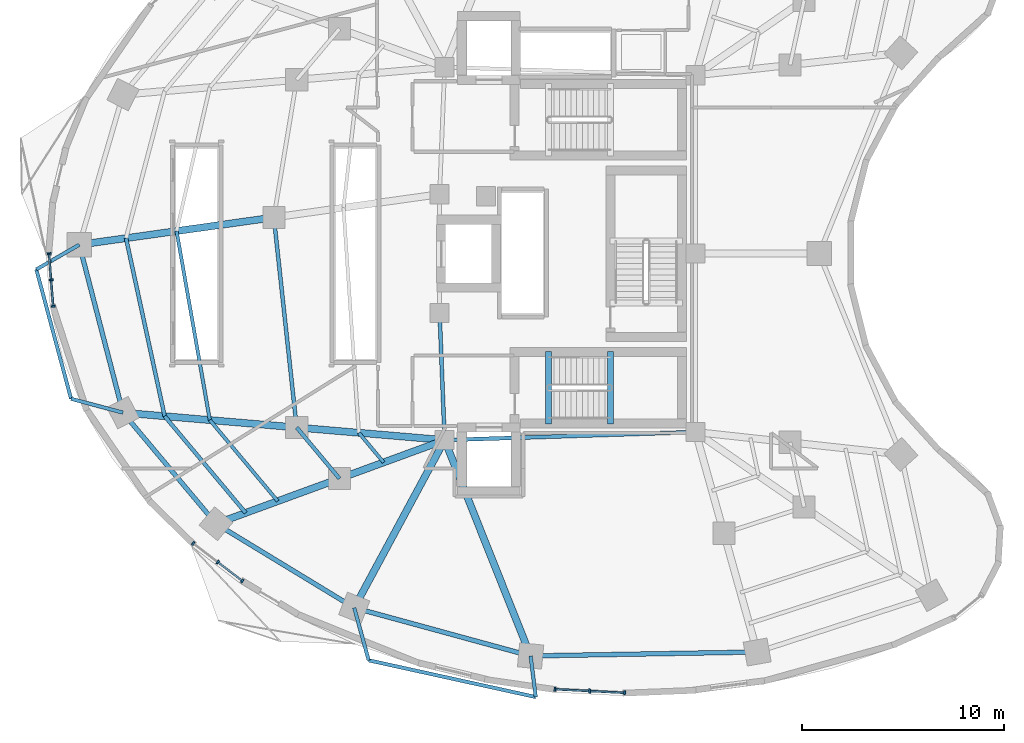
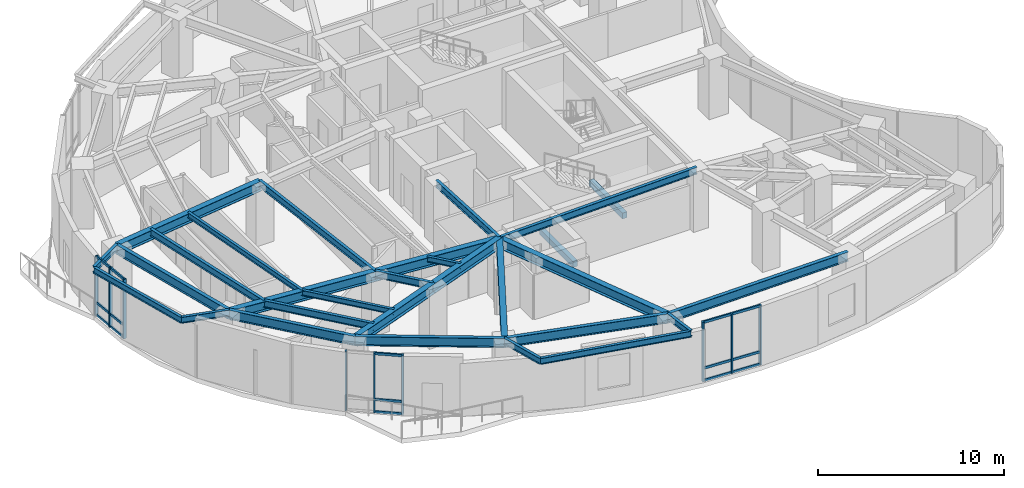
# One storey, part 2 of 12: 29 beams, 24 members, 3 elements without a shape of their own.
"""IFC4 building model written with IfcOpenShell, lengths in metres."""

from ifc_helpers import new_model, si_unit, direction, frame, origin, origin_2d, place, context, subcontext, project, spatial, rectangle, i_section, extrude, material, layer, layer_set, material_profile, profile_set, type_object, element, aggregate, save


model = new_model("IFC4")

# Units and contexts
model_context = context("Model", 3, precision=1e-05, world=origin(), true_north=direction((0.0, 1.0)))
body_context = subcontext(model_context, "Body", "Model", "MODEL_VIEW")
ifc_project = project(units=[si_unit("LENGTHUNIT", "METRE"), si_unit("AREAUNIT", "SQUARE_METRE"), si_unit("VOLUMEUNIT", "CUBIC_METRE"), si_unit("PLANEANGLEUNIT", "RADIAN"), si_unit("MASSUNIT", "GRAM", prefix="KILO")], contexts=[model_context])

# Site, building, storey
site_placement = place(None, origin())
site = spatial("IfcSite", under=ifc_project, at=site_placement, CompositionType="ELEMENT")
building_placement = place(site_placement, origin())
building = spatial("IfcBuilding", under=site, at=building_placement, Name="Korentha Bioscience Tower", CompositionType="ELEMENT")
storey_placement = place(building_placement, frame((0.0, 0.0, 136.199951171875)))
storey = spatial("IfcBuildingStorey", under=building, at=storey_placement, Name="L31", CompositionType="ELEMENT", Elevation=136.199951171875)

# Beams
ifc_material_1 = material(Name="Concrete C50", Category="concrete")
ifc_material_profile_1 = material_profile(ifc_material_1, rectangle(XDim=0.280029296875, YDim=0.3798828125, at=origin_2d()), Name="Concrete C50")
ifc_profile_set_1 = profile_set([ifc_material_profile_1], Name="Concrete C50 (ST-HB380)")
beam_type_1 = type_object("IfcBeamType", Name="Concrete Stair Header Beam RC 280x380", PredefinedType="BEAM", material=ifc_profile_set_1)
for number, where, z_axis, x_axis, name in (
    (1, (30.25, 18.550048828125, -0.18994140625), (0.0, 1.0, 0.0), (-1.0, 0.0, 0.0), "L31 ST-2 Concrete Stair Header Beam"),
    (2, (33.330078125, 18.550048828125, 1.91015625), (0.0, 1.0, 0.0), (-1.0, 0.0, 0.0), "L31 ST-2 Half-Landing Header Beam 1"),
):
    element("IfcBeam", number, at=place(storey_placement, frame(where, z_axis=z_axis, x_axis=x_axis)), inside=storey, type_object=beam_type_1, Name=name, PredefinedType="BEAM", context=body_context, shape_type="SweptSolid", body=[
        extrude(rectangle(XDim=0.280029296875, YDim=0.3798828125, at=origin_2d()), origin(), (0.0, 0.0, 1.0), 3.599853515625),
    ])
ifc_material_2 = material(Name="Steel S355", Category="steel")
ifc_material_profile_2 = material_profile(ifc_material_2, i_section(OverallWidth=0.18994140625, OverallDepth=0.45703125, WebThickness=0.009033203125, FlangeThickness=0.014404296875, at=origin_2d()), Name="Steel S355")
ifc_profile_set_2 = profile_set([ifc_material_profile_2], Name="Steel S355 (MB-460)")
beam_type_2 = type_object("IfcBeamType", Name="Mid-Ring Tie Girder W460x74", PredefinedType="BEAM", material=ifc_profile_set_2)
beam_1_placement = place(storey_placement, frame((16.627197265625, 28.796630859375, 3.671630859375), z_axis=(0.108002632645, -0.994150607977, 0.0), x_axis=(0.994150607977, 0.108002632645, 0.0)))
element("IfcBeam", 3, at=beam_1_placement, inside=storey, type_object=beam_type_2, Name="L31 Mid-Ring Tie Girder 07", PredefinedType="BEAM", context=body_context, shape_type="SweptSolid", body=[
    extrude(i_section(OverallWidth=0.18994140625, OverallDepth=0.45703125, WebThickness=0.009033203125, FlangeThickness=0.014404296875, at=origin_2d()), origin(), (0.0, 0.0, 1.0), 10.48193359375),
])
beam_2_placement = place(storey_placement, frame((17.75927734375, 18.3759765625, 3.671630859375), z_axis=(0.642121371708, -0.766602989817, 0.0), x_axis=(0.766602989817, 0.642121371708, 0.0)))
element("IfcBeam", 4, at=beam_2_placement, inside=storey, type_object=beam_type_2, Name="L31 Mid-Ring Tie Girder 08", PredefinedType="BEAM", context=body_context, shape_type="SweptSolid", body=[
    extrude(i_section(OverallWidth=0.18994140625, OverallDepth=0.45703125, WebThickness=0.009033203125, FlangeThickness=0.014404296875, at=origin_2d()), origin(), (0.0, 0.0, 1.0), 3.306640625),
])
beam_3_placement = place(storey_placement, frame((24.85009765625, 24.050048828125, 3.671630859375), z_axis=(0.039651025576, -0.999213588864, 0.0), x_axis=(0.999213588864, 0.039651025576, 0.0)))
element("IfcBeam", 5, at=beam_3_placement, inside=storey, type_object=beam_type_2, Name="L31 Core Ring Tie Girder 04", PredefinedType="BEAM", context=body_context, shape_type="SweptSolid", body=[
    extrude(i_section(OverallWidth=0.18994140625, OverallDepth=0.45703125, WebThickness=0.009033203125, FlangeThickness=0.014404296875, at=origin_2d()), origin(), (0.0, 0.0, 1.0), 6.304931640625),
])
beam_4_placement = place(storey_placement, frame((25.10009765625, 17.75, 3.671630859375), z_axis=(0.999484526071, 0.032104238723, 0.0), x_axis=(-0.032104238723, 0.999484526071, 0.0)))
element("IfcBeam", 6, at=beam_4_placement, inside=storey, type_object=beam_type_2, Name="L31 Core Ring Tie Girder 05", PredefinedType="BEAM", context=body_context, shape_type="SweptSolid", body=[
    extrude(i_section(OverallWidth=0.18994140625, OverallDepth=0.45703125, WebThickness=0.009033203125, FlangeThickness=0.014404296875, at=origin_2d()), origin(), (0.0, 0.0, 1.0), 12.456298828125),
])

# Curtain wall, members
ifc_material_3 = material(Name="Thermally Broken Aluminium Frame", Category="aluminium")
ifc_layer = layer(ifc_material_3, 0.219970703125, Name="Thermally Broken Aluminium Frame")
ifc_layer_set = layer_set([ifc_layer], Name="Thermally Broken Aluminium Frame (CW-T1)")
curtain_wall_type = type_object("IfcCurtainWallType", Name="Standard Bioscience Lab Unitised Curtain Wall CW-T1", PredefinedType="USERDEFINED", material=ifc_layer_set)
curtain_wall_1_placement = place(storey_placement, origin())
curtain_wall_1 = element("IfcCurtainWall", 7, at=curtain_wall_1_placement, inside=storey, type_object=curtain_wall_type, Name="L31 Curtain Wall 19", ObjectType="UNITISED", PredefinedType="USERDEFINED")
ifc_material_4 = material(Name="Anodised Aluminium 6063-T6", Category="aluminium")
ifc_material_profile_3 = material_profile(ifc_material_4, rectangle(XDim=0.090087890625, YDim=0.199951171875, at=origin_2d()), Name="Anodised Aluminium 6063-T6")
ifc_profile_set_3 = profile_set([ifc_material_profile_3], Name="Anodised Aluminium 6063-T6 (CW-MUL)")
member_type_1 = type_object("IfcMemberType", Name="Mullion RECT 90x200", PredefinedType="MULLION", material=ifc_profile_set_3)
member_1_placement = place(storey_placement, frame((5.473876953125, 27.0078125, 0.0), z_axis=(0.0, 0.0, 1.0), x_axis=(0.079130214674, -0.996864288219, 0.0)))
member_1 = element("IfcMember", 8, at=member_1_placement, type_object=member_type_1, Name="CW-L31-19 Mullion 1", PredefinedType="MULLION", context=body_context, shape_type="SweptSolid", body=[
    extrude(rectangle(XDim=0.090087890625, YDim=0.199951171875, at=origin_2d()), origin(), (0.0, 0.0, 1.0), 3.900146484375),
])
member_2_placement = place(storey_placement, frame((5.577880859375, 25.6962890625, 0.0), z_axis=(0.0, 0.0, 1.0), x_axis=(0.079130214674, -0.996864288219, 0.0)))
member_2 = element("IfcMember", 9, at=member_2_placement, type_object=member_type_1, Name="CW-L31-19 Mullion 2", PredefinedType="MULLION", context=body_context, shape_type="SweptSolid", body=[
    extrude(rectangle(XDim=0.090087890625, YDim=0.199951171875, at=origin_2d()), origin(), (0.0, 0.0, 1.0), 3.900146484375),
])
member_3_placement = place(storey_placement, frame((5.681884765625, 24.38525390625, 0.0), z_axis=(0.0, 0.0, 1.0), x_axis=(0.079130214674, -0.996864288219, 0.0)))
member_3 = element("IfcMember", 10, at=member_3_placement, type_object=member_type_1, Name="CW-L31-19 Mullion 3", PredefinedType="MULLION", context=body_context, shape_type="SweptSolid", body=[
    extrude(rectangle(XDim=0.090087890625, YDim=0.199951171875, at=origin_2d()), origin(), (0.0, 0.0, 1.0), 3.900146484375),
])

curtain_wall_2_placement = place(storey_placement, origin())
curtain_wall_2 = element("IfcCurtainWall", 11, at=curtain_wall_2_placement, inside=storey, type_object=curtain_wall_type, Name="L31 Curtain Wall 25", ObjectType="UNITISED", PredefinedType="USERDEFINED")
member_4_placement = place(storey_placement, frame((12.624267578125, 12.62890625, 0.0), z_axis=(0.0, 0.0, 1.0), x_axis=(0.794499603893, -0.607264669986, 0.0)))
member_4 = element("IfcMember", 12, at=member_4_placement, type_object=member_type_1, Name="CW-L31-25 Mullion 1", PredefinedType="MULLION", context=body_context, shape_type="SweptSolid", body=[
    extrude(rectangle(XDim=0.090087890625, YDim=0.199951171875, at=origin_2d()), origin(), (0.0, 0.0, 1.0), 3.900146484375),
])
member_5_placement = place(storey_placement, frame((13.844970703125, 11.69580078125, 0.0), z_axis=(0.0, 0.0, 1.0), x_axis=(0.794499603893, -0.607264669986, 0.0)))
member_5 = element("IfcMember", 13, at=member_5_placement, type_object=member_type_1, Name="CW-L31-25 Mullion 2", PredefinedType="MULLION", context=body_context, shape_type="SweptSolid", body=[
    extrude(rectangle(XDim=0.090087890625, YDim=0.199951171875, at=origin_2d()), origin(), (0.0, 0.0, 1.0), 3.900146484375),
])
member_6_placement = place(storey_placement, frame((15.0654296875, 10.7626953125, 0.0), z_axis=(0.0, 0.0, 1.0), x_axis=(0.794499603893, -0.607264669986, 0.0)))
member_6 = element("IfcMember", 14, at=member_6_placement, type_object=member_type_1, Name="CW-L31-25 Mullion 3", PredefinedType="MULLION", context=body_context, shape_type="SweptSolid", body=[
    extrude(rectangle(XDim=0.090087890625, YDim=0.199951171875, at=origin_2d()), origin(), (0.0, 0.0, 1.0), 3.900146484375),
])

curtain_wall_3_placement = place(storey_placement, origin())
curtain_wall_3 = element("IfcCurtainWall", 15, at=curtain_wall_3_placement, inside=storey, type_object=curtain_wall_type, Name="L31 Curtain Wall 31", ObjectType="UNITISED", PredefinedType="USERDEFINED")
member_7_placement = place(storey_placement, frame((30.571533203125, 5.39111328125, 0.0), z_axis=(0.0, 0.0, 1.0), x_axis=(0.998673231344, -0.051495407527, 0.0)))
member_7 = element("IfcMember", 16, at=member_7_placement, type_object=member_type_1, Name="CW-L31-31 Mullion 1", PredefinedType="MULLION", context=body_context, shape_type="SweptSolid", body=[
    extrude(rectangle(XDim=0.090087890625, YDim=0.199951171875, at=origin_2d()), origin(), (0.0, 0.0, 1.0), 3.900146484375),
])
member_8_placement = place(storey_placement, frame((32.301025390625, 5.302001953125, 0.0), z_axis=(0.0, 0.0, 1.0), x_axis=(0.998673231344, -0.051495407527, 0.0)))
member_8 = element("IfcMember", 17, at=member_8_placement, type_object=member_type_1, Name="CW-L31-31 Mullion 2", PredefinedType="MULLION", context=body_context, shape_type="SweptSolid", body=[
    extrude(rectangle(XDim=0.090087890625, YDim=0.199951171875, at=origin_2d()), origin(), (0.0, 0.0, 1.0), 3.900146484375),
])
member_9_placement = place(storey_placement, frame((34.03076171875, 5.212646484375, 0.0), z_axis=(0.0, 0.0, 1.0), x_axis=(0.998673231344, -0.051495407527, 0.0)))
member_9 = element("IfcMember", 18, at=member_9_placement, type_object=member_type_1, Name="CW-L31-31 Mullion 3", PredefinedType="MULLION", context=body_context, shape_type="SweptSolid", body=[
    extrude(rectangle(XDim=0.090087890625, YDim=0.199951171875, at=origin_2d()), origin(), (0.0, 0.0, 1.0), 3.900146484375),
])

# Beams
ifc_material_profile_4 = material_profile(ifc_material_2, i_section(OverallWidth=0.22802734375, OverallDepth=0.60791015625, WebThickness=0.01123046875, FlangeThickness=0.017333984375, at=origin_2d()), Name="Steel S355")
ifc_profile_set_4 = profile_set([ifc_material_profile_4], Name="Steel S355 (SB-610)")
beam_type_3 = type_object("IfcBeamType", Name="Perimeter Ring Spandrel Girder W610x113", PredefinedType="SPANDREL", material=ifc_profile_set_4)
beam_5_placement = place(storey_placement, frame((6.97412109375, 27.4423828125, 3.595947265625), z_axis=(0.251792692694, -0.96778119423, 0.0), x_axis=(0.96778119423, 0.251792692694, 0.0)))
element("IfcBeam", 19, at=beam_5_placement, inside=storey, type_object=beam_type_3, Name="L31 Perimeter Spandrel Girder 07", PredefinedType="SPANDREL", context=body_context, shape_type="SweptSolid", body=[
    extrude(i_section(OverallWidth=0.22802734375, OverallDepth=0.60791015625, WebThickness=0.01123046875, FlangeThickness=0.017333984375, at=origin_2d()), origin(), (0.0, 0.0, 1.0), 8.609130859375),
])
beam_6_placement = place(storey_placement, frame((9.141845703125, 19.110595703125, 3.595947265625), z_axis=(0.642126556076, -0.76659864726, 0.0), x_axis=(0.76659864726, 0.642126556076, 0.0)))
element("IfcBeam", 20, at=beam_6_placement, inside=storey, type_object=beam_type_3, Name="L31 Perimeter Spandrel Girder 08", PredefinedType="SPANDREL", context=body_context, shape_type="SweptSolid", body=[
    extrude(i_section(OverallWidth=0.22802734375, OverallDepth=0.60791015625, WebThickness=0.01123046875, FlangeThickness=0.017333984375, at=origin_2d()), origin(), (0.0, 0.0, 1.0), 7.1884765625),
])
beam_7_placement = place(storey_placement, frame((13.7578125, 13.599853515625, 3.595947265625), z_axis=(0.854461040474, -0.51951547649, 0.0), x_axis=(0.51951547649, 0.854461040474, 0.0)))
element("IfcBeam", 21, at=beam_7_placement, inside=storey, type_object=beam_type_3, Name="L31 Perimeter Spandrel Girder 09", PredefinedType="SPANDREL", context=body_context, shape_type="SweptSolid", body=[
    extrude(i_section(OverallWidth=0.22802734375, OverallDepth=0.60791015625, WebThickness=0.01123046875, FlangeThickness=0.017333984375, at=origin_2d()), origin(), (0.0, 0.0, 1.0), 8.025146484375),
])
beam_8_placement = place(storey_placement, frame((20.614990234375, 9.4306640625, 3.595947265625), z_axis=(0.964659386444, -0.263500034431, 0.0), x_axis=(0.263500034431, 0.964659386444, 0.0)))
element("IfcBeam", 22, at=beam_8_placement, inside=storey, type_object=beam_type_3, Name="L31 Perimeter Spandrel Girder 10", PredefinedType="SPANDREL", context=body_context, shape_type="SweptSolid", body=[
    extrude(i_section(OverallWidth=0.22802734375, OverallDepth=0.60791015625, WebThickness=0.01123046875, FlangeThickness=0.017333984375, at=origin_2d()), origin(), (0.0, 0.0, 1.0), 9.06982421875),
])
beam_9_placement = place(storey_placement, frame((29.3642578125, 7.040771484375, 3.595947265625), z_axis=(0.999850566826, 0.017287105523, 0.0), x_axis=(-0.017287105523, 0.999850566826, 0.0)))
element("IfcBeam", 23, at=beam_9_placement, inside=storey, type_object=beam_type_3, Name="L31 Perimeter Spandrel Girder 11", PredefinedType="SPANDREL", context=body_context, shape_type="SweptSolid", body=[
    extrude(i_section(OverallWidth=0.22802734375, OverallDepth=0.60791015625, WebThickness=0.01123046875, FlangeThickness=0.017333984375, at=origin_2d()), origin(), (0.0, 0.0, 1.0), 11.24169921875),
])
ifc_material_profile_5 = material_profile(ifc_material_2, i_section(OverallWidth=0.18994140625, OverallDepth=0.45703125, WebThickness=0.009033203125, FlangeThickness=0.014404296875, at=origin_2d()), Name="Steel S355")
ifc_profile_set_5 = profile_set([ifc_material_profile_5], Name="Steel S355 (RB-460)")
beam_type_4 = type_object("IfcBeamType", Name="Radial Laboratory Beam W460x74", PredefinedType="BEAM", material=ifc_profile_set_5)
beam_10_placement = place(storey_placement, frame((9.291015625, 27.767578125, 3.671630859375), z_axis=(0.212289478944, -0.977206824132, 0.0), x_axis=(0.977206824132, 0.212289478944, 0.0)))
element("IfcBeam", 24, at=beam_10_placement, inside=storey, type_object=beam_type_4, Name="L31 Secondary Floor Beam JSTO-07", PredefinedType="BEAM", context=body_context, shape_type="SweptSolid", body=[
    extrude(i_section(OverallWidth=0.18994140625, OverallDepth=0.45703125, WebThickness=0.009033203125, FlangeThickness=0.014404296875, at=origin_2d()), origin(), (0.0, 0.0, 1.0), 9.039306640625),
])
beam_11_placement = place(storey_placement, frame((11.2099609375, 18.934326171875, 3.671630859375), z_axis=(0.642128156066, -0.766597307057, 0.0), x_axis=(0.766597307057, 0.642128156066, 0.0)))
element("IfcBeam", 25, at=beam_11_placement, inside=storey, type_object=beam_type_4, Name="L31 Secondary Floor Beam JSTO-08", PredefinedType="BEAM", context=body_context, shape_type="SweptSolid", body=[
    extrude(i_section(OverallWidth=0.18994140625, OverallDepth=0.45703125, WebThickness=0.009033203125, FlangeThickness=0.014404296875, at=origin_2d()), origin(), (0.0, 0.0, 1.0), 6.257080078125),
])
ifc_material_profile_6 = material_profile(ifc_material_2, i_section(OverallWidth=0.35009765625, OverallDepth=0.64990234375, WebThickness=0.01611328125, FlangeThickness=0.02490234375, at=origin_2d()), Name="Steel S355")
ifc_profile_set_6 = profile_set([ifc_material_profile_6], Name="Steel S355 (RB-650)")
beam_type_5 = type_object("IfcBeamType", Name="Radial Laboratory Girder CVS 650x208", PredefinedType="BEAM", material=ifc_profile_set_6)
beam_12_placement = place(storey_placement, frame((16.627197265625, 28.796630859375, 3.574951171875), z_axis=(-0.99030201931, -0.138931315944, 0.0), x_axis=(0.138931315944, -0.99030201931, 0.0)))
element("IfcBeam", 26, at=beam_12_placement, inside=storey, type_object=beam_type_5, Name="L31 Outer Radial Girder 07", PredefinedType="BEAM", context=body_context, shape_type="SweptSolid", body=[
    extrude(i_section(OverallWidth=0.35009765625, OverallDepth=0.64990234375, WebThickness=0.01611328125, FlangeThickness=0.02490234375, at=origin_2d()), origin(), (0.0, 0.0, 1.0), 9.74755859375),
])
beam_13_placement = place(storey_placement, frame((25.10009765625, 17.75, 3.574951171875), z_axis=(-0.996383934197, 0.084965026183, 0.0), x_axis=(-0.084965026183, -0.996383934197, 0.0)))
element("IfcBeam", 27, at=beam_13_placement, inside=storey, type_object=beam_type_5, Name="L31 Inner Radial Girder 08", PredefinedType="BEAM", context=body_context, shape_type="SweptSolid", body=[
    extrude(i_section(OverallWidth=0.35009765625, OverallDepth=0.64990234375, WebThickness=0.01611328125, FlangeThickness=0.02490234375, at=origin_2d()), origin(), (0.0, 0.0, 1.0), 7.367431640625),
])
beam_14_placement = place(storey_placement, frame((17.75927734375, 18.3759765625, 3.574951171875), z_axis=(-0.996386071548, 0.084939957767, 0.0), x_axis=(-0.084939957767, -0.996386071548, 0.0)))
element("IfcBeam", 28, at=beam_14_placement, inside=storey, type_object=beam_type_5, Name="L31 Outer Radial Girder 08", PredefinedType="BEAM", context=body_context, shape_type="SweptSolid", body=[
    extrude(i_section(OverallWidth=0.35009765625, OverallDepth=0.64990234375, WebThickness=0.01611328125, FlangeThickness=0.02490234375, at=origin_2d()), origin(), (0.0, 0.0, 1.0), 8.648681640625),
])
beam_15_placement = place(storey_placement, frame((25.10009765625, 17.75, 3.574951171875), z_axis=(-0.939118010396, -0.343594765022, 0.0), x_axis=(0.343594765022, -0.939118010396, 0.0)))
element("IfcBeam", 29, at=beam_15_placement, inside=storey, type_object=beam_type_5, Name="L31 Inner Radial Girder 09", PredefinedType="BEAM", context=body_context, shape_type="SweptSolid", body=[
    extrude(i_section(OverallWidth=0.35009765625, OverallDepth=0.64990234375, WebThickness=0.01611328125, FlangeThickness=0.02490234375, at=origin_2d()), origin(), (0.0, 0.0, 1.0), 5.5556640625),
])
beam_16_placement = place(storey_placement, frame((19.882568359375, 15.841064453125, 3.574951171875), z_axis=(-0.939100755225, -0.343641923425, 0.0), x_axis=(0.343641923425, -0.939100755225, 0.0)))
element("IfcBeam", 30, at=beam_16_placement, inside=storey, type_object=beam_type_5, Name="L31 Outer Radial Girder 09", PredefinedType="BEAM", context=body_context, shape_type="SweptSolid", body=[
    extrude(i_section(OverallWidth=0.35009765625, OverallDepth=0.64990234375, WebThickness=0.01611328125, FlangeThickness=0.02490234375, at=origin_2d()), origin(), (0.0, 0.0, 1.0), 6.52197265625),
])
beam_17_placement = place(storey_placement, frame((25.10009765625, 17.75, 3.574951171875), z_axis=(-0.474548018732, -0.880229616587, 0.0), x_axis=(0.880229616587, -0.474548018732, 0.0)))
element("IfcBeam", 31, at=beam_17_placement, inside=storey, type_object=beam_type_5, Name="L31 Radial Girder 10", PredefinedType="BEAM", context=body_context, shape_type="SweptSolid", body=[
    extrude(i_section(OverallWidth=0.35009765625, OverallDepth=0.64990234375, WebThickness=0.01611328125, FlangeThickness=0.02490234375, at=origin_2d()), origin(), (0.0, 0.0, 1.0), 9.451416015625),
])
beam_18_placement = place(storey_placement, frame((25.10009765625, 17.75, 3.574951171875), z_axis=(0.369929528493, -0.929059817207, 0.0), x_axis=(0.929059817207, 0.369929528493, 0.0)))
element("IfcBeam", 32, at=beam_18_placement, inside=storey, type_object=beam_type_5, Name="L31 Radial Girder 11", PredefinedType="BEAM", context=body_context, shape_type="SweptSolid", body=[
    extrude(i_section(OverallWidth=0.35009765625, OverallDepth=0.64990234375, WebThickness=0.01611328125, FlangeThickness=0.02490234375, at=origin_2d()), origin(), (0.0, 0.0, 1.0), 11.52685546875),
])
ifc_material_profile_7 = material_profile(ifc_material_2, i_section(OverallWidth=0.1708984375, OverallDepth=0.35498046875, WebThickness=0.007080078125, FlangeThickness=0.01171875, at=origin_2d()), Name="Steel S355")
ifc_profile_set_7 = profile_set([ifc_material_profile_7], Name="Steel S355 (JB-360)")
beam_type_6 = type_object("IfcBeamType", Name="Secondary Laboratory Joist W360x51", PredefinedType="JOIST", material=ifc_profile_set_7)
beam_19_placement = place(storey_placement, frame((11.800537109375, 28.11962890625, 3.72265625), z_axis=(0.173304009699, -0.984868377105, 0.0), x_axis=(0.984868377105, 0.173304009699, 0.0)))
element("IfcBeam", 33, at=beam_19_placement, inside=storey, type_object=beam_type_6, Name="L31 Secondary Floor Beam JST-07", PredefinedType="JOIST", context=body_context, shape_type="SweptSolid", body=[
    extrude(i_section(OverallWidth=0.1708984375, OverallDepth=0.35498046875, WebThickness=0.007080078125, FlangeThickness=0.01171875, at=origin_2d()), origin(), (0.0, 0.0, 1.0), 9.520263671875),
])
beam_20_placement = place(storey_placement, frame((13.450439453125, 18.743408203125, 3.72265625), z_axis=(0.642140812018, -0.76658670582, 0.0), x_axis=(0.76658670582, 0.642140812018, 0.0)))
element("IfcBeam", 34, at=beam_20_placement, inside=storey, type_object=beam_type_6, Name="L31 Secondary Floor Beam JST-08", PredefinedType="JOIST", context=body_context, shape_type="SweptSolid", body=[
    extrude(i_section(OverallWidth=0.1708984375, OverallDepth=0.35498046875, WebThickness=0.007080078125, FlangeThickness=0.01171875, at=origin_2d()), origin(), (0.0, 0.0, 1.0), 5.247802734375),
])
beam_21_placement = place(storey_placement, frame((20.84228515625, 18.113037109375, 3.72265625), z_axis=(0.64218549873, -0.766549271229, 0.0), x_axis=(0.766549271229, 0.64218549873, 0.0)))
element("IfcBeam", 35, at=beam_21_placement, inside=storey, type_object=beam_type_6, Name="L31 Inner Bay Joist 08", PredefinedType="JOIST", context=body_context, shape_type="SweptSolid", body=[
    extrude(i_section(OverallWidth=0.1708984375, OverallDepth=0.35498046875, WebThickness=0.007080078125, FlangeThickness=0.01171875, at=origin_2d()), origin(), (0.0, 0.0, 1.0), 1.91796875),
])
ifc_material_profile_8 = material_profile(ifc_material_2, i_section(OverallWidth=0.177978515625, OverallDepth=0.406982421875, WebThickness=0.0078125, FlangeThickness=0.0126953125, at=origin_2d()), Name="Steel S355")
ifc_profile_set_8 = profile_set([ifc_material_profile_8], Name="Steel S355 (CB-410)")
beam_type_7 = type_object("IfcBeamType", Name="Sun-Ledge Cantilever Beam W410x60", PredefinedType="BEAM", material=ifc_profile_set_8)
beam_22_placement = place(storey_placement, frame((6.97412109375, 27.4423828125, 3.698486328125), z_axis=(-0.866735655447, -0.498767785224, 0.0), x_axis=(0.498767785224, -0.866735655447, 0.0)))
element("IfcBeam", 36, at=beam_22_placement, inside=storey, type_object=beam_type_7, Name="L31 Balcony Cantilever Bracket A-L32-02", PredefinedType="BEAM", context=body_context, shape_type="SweptSolid", body=[
    extrude(i_section(OverallWidth=0.177978515625, OverallDepth=0.406982421875, WebThickness=0.0078125, FlangeThickness=0.0126953125, at=origin_2d()), origin(), (0.0, 0.0, 1.0), 2.458251953125),
])
beam_23_placement = place(storey_placement, frame((9.141845703125, 19.110595703125, 3.698486328125), z_axis=(-0.966099523327, 0.258169926653, 0.0), x_axis=(-0.258169926653, -0.966099523327, 0.0)))
element("IfcBeam", 37, at=beam_23_placement, inside=storey, type_object=beam_type_7, Name="L31 Balcony Cantilever Bracket B-L32-02", PredefinedType="BEAM", context=body_context, shape_type="SweptSolid", body=[
    extrude(i_section(OverallWidth=0.177978515625, OverallDepth=0.406982421875, WebThickness=0.0078125, FlangeThickness=0.0126953125, at=origin_2d()), origin(), (0.0, 0.0, 1.0), 2.665771484375),
])
beam_24_placement = place(storey_placement, frame((4.843505859375, 26.21630859375, 3.698486328125), z_axis=(0.259288233209, -0.965799985566, 0.0), x_axis=(0.965799985566, 0.259288233209, 0.0)))
element("IfcBeam", 38, at=beam_24_placement, inside=storey, type_object=beam_type_7, Name="L31 Balcony Edge Trimmer Beam L32-02", PredefinedType="BEAM", context=body_context, shape_type="SweptSolid", body=[
    extrude(i_section(OverallWidth=0.177978515625, OverallDepth=0.406982421875, WebThickness=0.0078125, FlangeThickness=0.0126953125, at=origin_2d()), origin(), (0.0, 0.0, 1.0), 6.644775390625),
])
beam_25_placement = place(storey_placement, frame((20.614990234375, 9.4306640625, 3.698486328125), z_axis=(0.26487511254, -0.964282725531, 0.0), x_axis=(0.964282725531, 0.26487511254, 0.0)))
element("IfcBeam", 39, at=beam_25_placement, inside=storey, type_object=beam_type_7, Name="L31 Balcony Cantilever Bracket A-L32-03", PredefinedType="BEAM", context=body_context, shape_type="SweptSolid", body=[
    extrude(i_section(OverallWidth=0.177978515625, OverallDepth=0.406982421875, WebThickness=0.0078125, FlangeThickness=0.0126953125, at=origin_2d()), origin(), (0.0, 0.0, 1.0), 2.702392578125),
])
beam_26_placement = place(storey_placement, frame((29.3642578125, 7.040771484375, 3.698486328125), z_axis=(0.124078617268, -0.992272390393, 0.0), x_axis=(0.992272390393, 0.124078617268, 0.0)))
element("IfcBeam", 40, at=beam_26_placement, inside=storey, type_object=beam_type_7, Name="L31 Balcony Cantilever Bracket B-L32-03", PredefinedType="BEAM", context=body_context, shape_type="SweptSolid", body=[
    extrude(i_section(OverallWidth=0.177978515625, OverallDepth=0.406982421875, WebThickness=0.0078125, FlangeThickness=0.0126953125, at=origin_2d()), origin(), (0.0, 0.0, 1.0), 2.05419921875),
])
beam_27_placement = place(storey_placement, frame((21.330810546875, 6.82470703125, 3.698486328125), z_axis=(0.976673314546, -0.21473061415, 0.0), x_axis=(0.21473061415, 0.976673314546, 0.0)))
element("IfcBeam", 41, at=beam_27_placement, inside=storey, type_object=beam_type_7, Name="L31 Balcony Edge Trimmer Beam L32-03", PredefinedType="BEAM", context=body_context, shape_type="SweptSolid", body=[
    extrude(i_section(OverallWidth=0.177978515625, OverallDepth=0.406982421875, WebThickness=0.0078125, FlangeThickness=0.0126953125, at=origin_2d()), origin(), (0.0, 0.0, 1.0), 8.486328125),
])

# Member
ifc_material_profile_9 = material_profile(ifc_material_4, rectangle(XDim=0.090087890625, YDim=0.159912109375, at=origin_2d()), Name="Anodised Aluminium 6063-T6")
ifc_profile_set_9 = profile_set([ifc_material_profile_9], Name="Anodised Aluminium 6063-T6 (CW-TRN)")
member_type_2 = type_object("IfcMemberType", Name="Transom RECT 90x160", PredefinedType="USERDEFINED", material=ifc_profile_set_9)
member_10_placement = place(storey_placement, frame((5.477294921875, 26.962890625, 0.045166015625), z_axis=(0.079285983344, -0.996851911191, 0.0), x_axis=(0.996851911191, 0.079285983344, 0.0)))
member_10 = element("IfcMember", 42, at=member_10_placement, type_object=member_type_2, Name="CW-L31-19 Bay 1 Transom 1", ObjectType="TRANSOM", PredefinedType="USERDEFINED", context=body_context, shape_type="SweptSolid", body=[
    extrude(rectangle(XDim=0.090087890625, YDim=0.159912109375, at=origin_2d()), origin(), (0.0, 0.0, 1.0), 1.2255859375),
])

member_11_placement = place(storey_placement, frame((5.477294921875, 26.962890625, 0.85009765625), z_axis=(0.079285983344, -0.996851911191, 0.0), x_axis=(0.996851911191, 0.079285983344, 0.0)))
member_11 = element("IfcMember", 43, at=member_11_placement, type_object=member_type_2, Name="CW-L31-19 Bay 1 Transom 2", ObjectType="TRANSOM", PredefinedType="USERDEFINED", context=body_context, shape_type="SweptSolid", body=[
    extrude(rectangle(XDim=0.090087890625, YDim=0.159912109375, at=origin_2d()), origin(), (0.0, 0.0, 1.0), 1.2255859375),
])

member_12_placement = place(storey_placement, frame((5.477294921875, 26.962890625, 3.85498046875), z_axis=(0.079285983344, -0.996851911191, 0.0), x_axis=(0.996851911191, 0.079285983344, 0.0)))
member_12 = element("IfcMember", 44, at=member_12_placement, type_object=member_type_2, Name="CW-L31-19 Bay 1 Transom 3", ObjectType="TRANSOM", PredefinedType="USERDEFINED", context=body_context, shape_type="SweptSolid", body=[
    extrude(rectangle(XDim=0.090087890625, YDim=0.159912109375, at=origin_2d()), origin(), (0.0, 0.0, 1.0), 1.2255859375),
])

member_13_placement = place(storey_placement, frame((5.58154296875, 25.651611328125, 0.045166015625), z_axis=(0.079088019938, -0.996867636701, 0.0), x_axis=(0.996867636701, 0.079088019938, 0.0)))
member_13 = element("IfcMember", 45, at=member_13_placement, type_object=member_type_2, Name="CW-L31-19 Bay 2 Transom 1", ObjectType="TRANSOM", PredefinedType="USERDEFINED", context=body_context, shape_type="SweptSolid", body=[
    extrude(rectangle(XDim=0.090087890625, YDim=0.159912109375, at=origin_2d()), origin(), (0.0, 0.0, 1.0), 1.2255859375),
])

member_14_placement = place(storey_placement, frame((5.58154296875, 25.651611328125, 0.85009765625), z_axis=(0.079088019938, -0.996867636701, 0.0), x_axis=(0.996867636701, 0.079088019938, 0.0)))
member_14 = element("IfcMember", 46, at=member_14_placement, type_object=member_type_2, Name="CW-L31-19 Bay 2 Transom 2", ObjectType="TRANSOM", PredefinedType="USERDEFINED", context=body_context, shape_type="SweptSolid", body=[
    extrude(rectangle(XDim=0.090087890625, YDim=0.159912109375, at=origin_2d()), origin(), (0.0, 0.0, 1.0), 1.2255859375),
])

member_15_placement = place(storey_placement, frame((5.58154296875, 25.651611328125, 3.85498046875), z_axis=(0.079088019938, -0.996867636701, 0.0), x_axis=(0.996867636701, 0.079088019938, 0.0)))
member_15 = element("IfcMember", 47, at=member_15_placement, type_object=member_type_2, Name="CW-L31-19 Bay 2 Transom 3", ObjectType="TRANSOM", PredefinedType="USERDEFINED", context=body_context, shape_type="SweptSolid", body=[
    extrude(rectangle(XDim=0.090087890625, YDim=0.159912109375, at=origin_2d()), origin(), (0.0, 0.0, 1.0), 1.2255859375),
])

aggregate(curtain_wall_1, [member_1, member_2, member_3, member_10, member_11, member_12, member_13, member_14, member_15])

member_16_placement = place(storey_placement, frame((13.880615234375, 11.66845703125, 0.045166015625), z_axis=(0.794477589546, -0.607293470828, 0.0), x_axis=(0.607293470828, 0.794477589546, 0.0)))
member_16 = element("IfcMember", 48, at=member_16_placement, type_object=member_type_2, Name="CW-L31-25 Bay 2 Transom 1", ObjectType="TRANSOM", PredefinedType="USERDEFINED", context=body_context, shape_type="SweptSolid", body=[
    extrude(rectangle(XDim=0.090087890625, YDim=0.159912109375, at=origin_2d()), origin(), (0.0, 0.0, 1.0), 1.446533203125),
])

member_17_placement = place(storey_placement, frame((13.880615234375, 11.66845703125, 0.85009765625), z_axis=(0.794477589546, -0.607293470828, 0.0), x_axis=(0.607293470828, 0.794477589546, 0.0)))
member_17 = element("IfcMember", 49, at=member_17_placement, type_object=member_type_2, Name="CW-L31-25 Bay 2 Transom 2", ObjectType="TRANSOM", PredefinedType="USERDEFINED", context=body_context, shape_type="SweptSolid", body=[
    extrude(rectangle(XDim=0.090087890625, YDim=0.159912109375, at=origin_2d()), origin(), (0.0, 0.0, 1.0), 1.446533203125),
])

member_18_placement = place(storey_placement, frame((13.880615234375, 11.66845703125, 3.85498046875), z_axis=(0.794477589546, -0.607293470828, 0.0), x_axis=(0.607293470828, 0.794477589546, 0.0)))
member_18 = element("IfcMember", 50, at=member_18_placement, type_object=member_type_2, Name="CW-L31-25 Bay 2 Transom 3", ObjectType="TRANSOM", PredefinedType="USERDEFINED", context=body_context, shape_type="SweptSolid", body=[
    extrude(rectangle(XDim=0.090087890625, YDim=0.159912109375, at=origin_2d()), origin(), (0.0, 0.0, 1.0), 1.446533203125),
])

aggregate(curtain_wall_2, [member_4, member_5, member_6, member_16, member_17, member_18])

member_19_placement = place(storey_placement, frame((30.616455078125, 5.388916015625, 0.045166015625), z_axis=(0.998667892989, -0.05159883247, 0.0), x_axis=(0.05159883247, 0.998667892989, 0.0)))
member_19 = element("IfcMember", 51, at=member_19_placement, type_object=member_type_2, Name="CW-L31-31 Bay 1 Transom 1", ObjectType="TRANSOM", PredefinedType="USERDEFINED", context=body_context, shape_type="SweptSolid", body=[
    extrude(rectangle(XDim=0.090087890625, YDim=0.159912109375, at=origin_2d()), origin(), (0.0, 0.0, 1.0), 1.641845703125),
])

member_20_placement = place(storey_placement, frame((30.616455078125, 5.388916015625, 0.85009765625), z_axis=(0.998667892989, -0.05159883247, 0.0), x_axis=(0.05159883247, 0.998667892989, 0.0)))
member_20 = element("IfcMember", 52, at=member_20_placement, type_object=member_type_2, Name="CW-L31-31 Bay 1 Transom 2", ObjectType="TRANSOM", PredefinedType="USERDEFINED", context=body_context, shape_type="SweptSolid", body=[
    extrude(rectangle(XDim=0.090087890625, YDim=0.159912109375, at=origin_2d()), origin(), (0.0, 0.0, 1.0), 1.641845703125),
])

member_21_placement = place(storey_placement, frame((30.616455078125, 5.388916015625, 3.85498046875), z_axis=(0.998667892989, -0.05159883247, 0.0), x_axis=(0.05159883247, 0.998667892989, 0.0)))
member_21 = element("IfcMember", 53, at=member_21_placement, type_object=member_type_2, Name="CW-L31-31 Bay 1 Transom 3", ObjectType="TRANSOM", PredefinedType="USERDEFINED", context=body_context, shape_type="SweptSolid", body=[
    extrude(rectangle(XDim=0.090087890625, YDim=0.159912109375, at=origin_2d()), origin(), (0.0, 0.0, 1.0), 1.641845703125),
])

member_22_placement = place(storey_placement, frame((32.345947265625, 5.299560546875, 0.045166015625), z_axis=(0.998675544552, -0.051450526863, 0.0), x_axis=(0.051450526863, 0.998675544552, 0.0)))
member_22 = element("IfcMember", 54, at=member_22_placement, type_object=member_type_2, Name="CW-L31-31 Bay 2 Transom 1", ObjectType="TRANSOM", PredefinedType="USERDEFINED", context=body_context, shape_type="SweptSolid", body=[
    extrude(rectangle(XDim=0.090087890625, YDim=0.159912109375, at=origin_2d()), origin(), (0.0, 0.0, 1.0), 1.641845703125),
])

member_23_placement = place(storey_placement, frame((32.345947265625, 5.299560546875, 0.85009765625), z_axis=(0.998675544552, -0.051450526863, 0.0), x_axis=(0.051450526863, 0.998675544552, 0.0)))
member_23 = element("IfcMember", 55, at=member_23_placement, type_object=member_type_2, Name="CW-L31-31 Bay 2 Transom 2", ObjectType="TRANSOM", PredefinedType="USERDEFINED", context=body_context, shape_type="SweptSolid", body=[
    extrude(rectangle(XDim=0.090087890625, YDim=0.159912109375, at=origin_2d()), origin(), (0.0, 0.0, 1.0), 1.641845703125),
])

member_24_placement = place(storey_placement, frame((32.345947265625, 5.299560546875, 3.85498046875), z_axis=(0.998675544552, -0.051450526863, 0.0), x_axis=(0.051450526863, 0.998675544552, 0.0)))
member_24 = element("IfcMember", 56, at=member_24_placement, type_object=member_type_2, Name="CW-L31-31 Bay 2 Transom 3", ObjectType="TRANSOM", PredefinedType="USERDEFINED", context=body_context, shape_type="SweptSolid", body=[
    extrude(rectangle(XDim=0.090087890625, YDim=0.159912109375, at=origin_2d()), origin(), (0.0, 0.0, 1.0), 1.641845703125),
])

aggregate(curtain_wall_3, [member_7, member_8, member_9, member_19, member_20, member_21, member_22, member_23, member_24])

save(model, "model.ifc")
